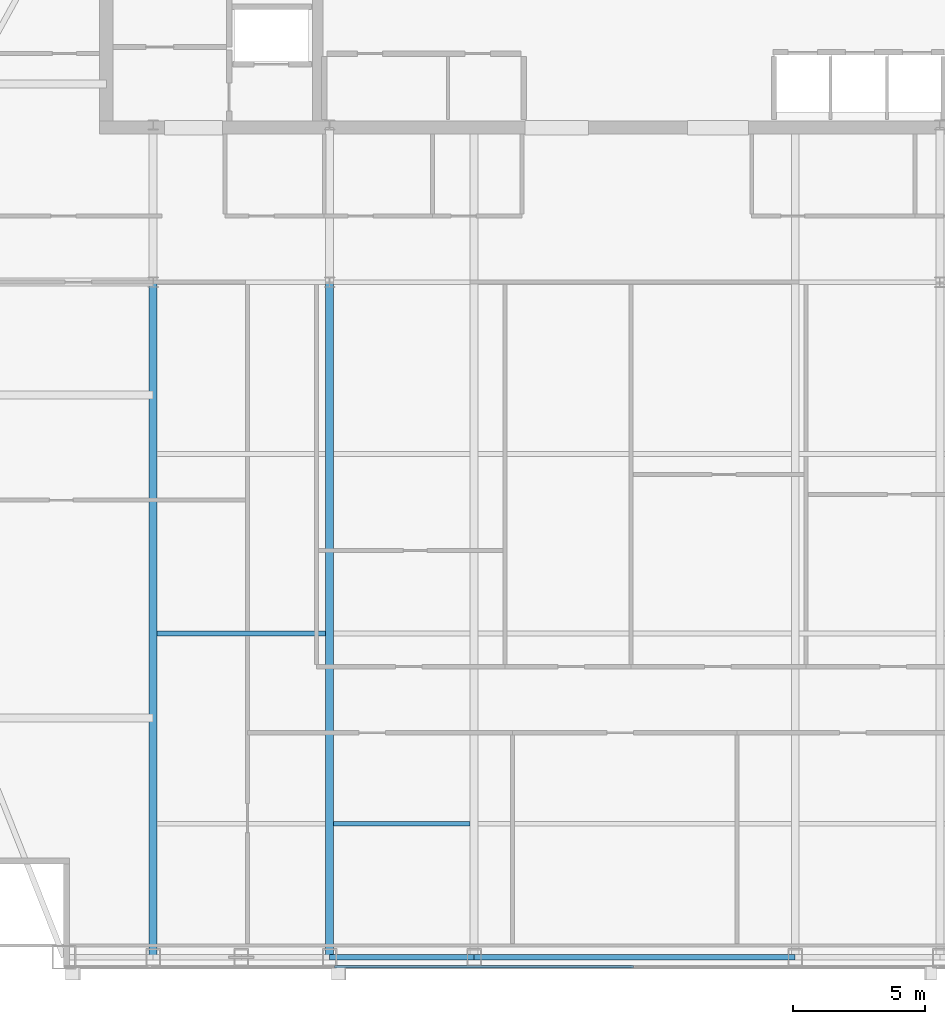
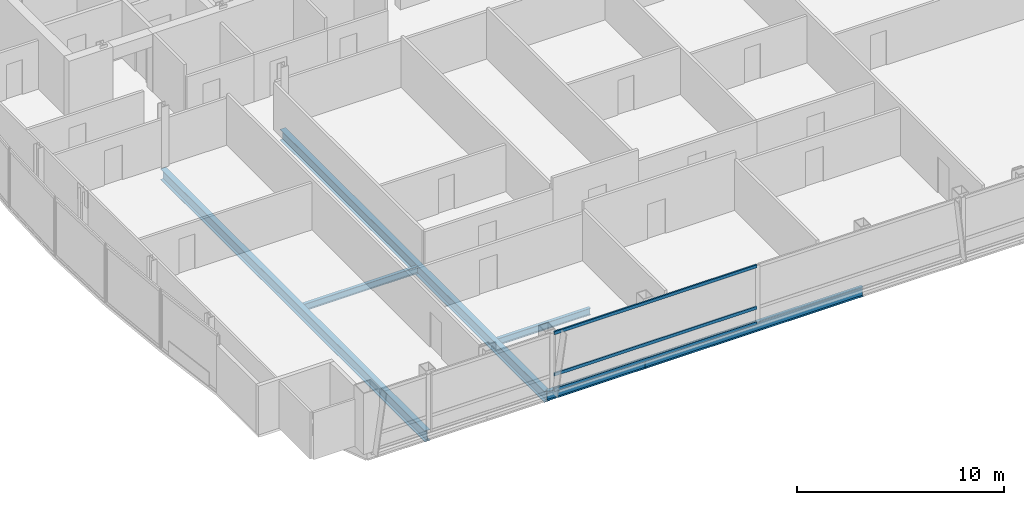
# One storey, part 6 of 25: 6 beams, 3 members, 1 element without a shape of its own.
"""IFC4 building model written with IfcOpenShell, lengths in metres."""

import ifcopenshell
import ifcopenshell.guid

model = None  # the IFC model being written
_history = None  # IfcOwnerHistory: only IFC2X3 demands one
_inside = {}  # id of a spatial element -> (the spatial element, [elements in it])
_under = {}  # id of a project, library or spatial element -> (it, [spatial elements below it])
_declared = {}  # id of a project -> (the project, [libraries it declares])
_typed = {}  # id of a type object -> (the type object, [elements of that type])
_made_of = {}  # id of a material, layer set ... -> (it, [elements and type objects made of it])


def new_model(schema):
    """Start an empty IFC model of exactly this schema.

    Asked for "IFC4X3", IfcOpenShell would pick the latest addendum, in which some entities
    have other attributes; the version numbers below select the first issue.
    IFC2X3 requires an IfcOwnerHistory on every rooted entity: one is made here for all.
    """
    global model, _history
    if schema == "IFC4X3":
        model = ifcopenshell.file(schema_version=(4, 3, 0, 0))
    else:
        model = ifcopenshell.file(schema=schema)
    _inside.clear()
    _under.clear()
    _declared.clear()
    _typed.clear()
    _made_of.clear()
    _history = None
    if model.schema == "IFC2X3":
        org = make("IfcOrganization", Name="unknown")
        user = make(
            "IfcPersonAndOrganization",
            ThePerson=make("IfcPerson", FamilyName="unknown"),
            TheOrganization=org,
        )
        app = make(
            "IfcApplication",
            ApplicationDeveloper=org,
            Version="unknown",
            ApplicationFullName="unknown",
            ApplicationIdentifier="unknown",
        )
        _history = make(
            "IfcOwnerHistory",
            OwningUser=user,
            OwningApplication=app,
            ChangeAction="ADDED",
            CreationDate=0,
        )
    return model


def make(cls, **values):
    """One entity of the class cls with the attributes given. An attribute that is None is left unset."""
    return model.create_entity(
        cls, **{name: value for name, value in values.items() if value is not None}
    )


def rooted(cls, **values):
    """An entity with a GlobalId (a new one), such as an element, a storey or a relation."""
    return make(cls, GlobalId=ifcopenshell.guid.new(), OwnerHistory=_history, **values)


def si_unit(unit_type, name, prefix=None):
    """IfcSIUnit, for example si_unit("LENGTHUNIT", "METRE", prefix="MILLI")."""
    return make("IfcSIUnit", UnitType=unit_type, Prefix=prefix, Name=name)


def assignment(units):
    """IfcUnitAssignment: the units of a project."""
    return None if units is None else make("IfcUnitAssignment", Units=units)


def point(xyz):
    """IfcCartesianPoint."""
    return None if xyz is None else make("IfcCartesianPoint", Coordinates=xyz)


def direction(xyz):
    """IfcDirection."""
    return None if xyz is None else make("IfcDirection", DirectionRatios=xyz)


def frame(location, z_axis=None, x_axis=None):
    """IfcAxis2Placement3D, a coordinate frame: its origin and axes. An axis left out is left unset."""
    return make(
        "IfcAxis2Placement3D",
        Location=point(location),
        Axis=direction(z_axis),
        RefDirection=direction(x_axis),
    )


def frame_2d(location, x_axis=None):
    """IfcAxis2Placement2D, a coordinate frame in the plane: its origin and x axis."""
    return make(
        "IfcAxis2Placement2D", Location=point(location), RefDirection=direction(x_axis)
    )


def origin():
    """The frame at (0, 0, 0) with its axes left unset."""
    return frame((0.0, 0.0, 0.0))


def origin_2d():
    """The frame at (0, 0) in the plane with its x axis left unset."""
    return frame_2d((0.0, 0.0))


def place(relative_to, where):
    """IfcLocalPlacement: puts the frame where relative to a parent placement (None: the world)."""
    return make(
        "IfcLocalPlacement", PlacementRelTo=relative_to, RelativePlacement=where
    )


def context(
    kind, dimensions, precision=None, world=None, true_north=None, identifier=None
):
    """IfcGeometricRepresentationContext, for example the 3D "Model" context."""
    return make(
        "IfcGeometricRepresentationContext",
        ContextIdentifier=identifier,
        ContextType=kind,
        CoordinateSpaceDimension=dimensions,
        Precision=precision,
        WorldCoordinateSystem=world,
        TrueNorth=true_north,
    )


def subcontext(parent, identifier, kind, view, scale=None):
    """IfcGeometricRepresentationSubContext, for example "Body" below "Model"."""
    return make(
        "IfcGeometricRepresentationSubContext",
        ContextIdentifier=identifier,
        ContextType=kind,
        ParentContext=parent,
        TargetScale=scale,
        TargetView=view,
    )


def project(units=None, contexts=None):
    """IfcProject with its units and contexts."""
    return rooted(
        "IfcProject",
        Name="project",
        RepresentationContexts=contexts,
        UnitsInContext=assignment(units),
    )


def spatial(cls, under=None, at=None, **own):
    """A site, building, storey or space (cls), placed at a placement, below another one or the project."""
    s = rooted(cls, ObjectPlacement=at, **own)
    if under is not None:
        _under.setdefault(under.id(), (under, []))[1].append(s)
    return s


def profile(cls, at=None, kind="AREA", **sizes):
    """A parametric profile (cls). Its sizes go by their IFC names, for example OverallWidth=200.0."""
    return make(cls, ProfileType=kind, Position=at, **sizes)


def hollow_rectangle(**sizes):
    """IfcRectangleHollowProfileDef."""
    return profile("IfcRectangleHollowProfileDef", **sizes)


def i_section(**sizes):
    """IfcIShapeProfileDef."""
    return profile("IfcIShapeProfileDef", **sizes)


def extrude(swept, where, along, depth):
    """IfcExtrudedAreaSolid: the profile swept, set in the frame where, extruded along a direction by depth."""
    return make(
        "IfcExtrudedAreaSolid",
        SweptArea=swept,
        Position=where,
        ExtrudedDirection=direction(along),
        Depth=depth,
    )


def shape(context_of_items, identifier, shape_type, items):
    """IfcShapeRepresentation: the items that make up one representation, for example the "Body"."""
    return make(
        "IfcShapeRepresentation",
        ContextOfItems=context_of_items,
        RepresentationIdentifier=identifier,
        RepresentationType=shape_type,
        Items=items,
    )


def material(Name=None, Category=None):
    """IfcMaterial."""
    return make("IfcMaterial", Name=Name, Category=Category)


def material_profile(
    of_material, cross_section, Name=None, Category=None, Priority=None
):
    """IfcMaterialProfile: a cross section and its material."""
    return make(
        "IfcMaterialProfile",
        Name=Name,
        Material=of_material,
        Profile=cross_section,
        Priority=Priority,
        Category=Category,
    )


def profile_set(profiles, Name=None, composite=None):
    """IfcMaterialProfileSet."""
    return make(
        "IfcMaterialProfileSet",
        Name=Name,
        MaterialProfiles=profiles,
        CompositeProfile=composite,
    )


def made_of(thing, what):
    """Note that an element or type object is made of a material, layer set ...; save() writes the relation."""
    if what is not None:
        _made_of.setdefault(what.id(), (what, []))[1].append(thing)
    return thing


def type_object(cls, material=None, **own):
    """A type object (cls), such as IfcWallType, which elements share."""
    return made_of(rooted(cls, **own), material)


def element(
    cls,
    number,
    at=None,
    inside=None,
    cuts=None,
    type_object=None,
    material=None,
    context=None,
    identifier="Body",
    shape_type=None,
    held_by="IfcProductDefinitionShape",
    body=None,
    shapes=None,
    **own,
):
    """One element of the class cls, such as IfcWall. Its Tag is "e" and its number.

    at: its placement. inside: the storey or other place that contains it. cuts: it is an
    opening in that element (IfcRelVoidsElement). A single representation is given by context,
    identifier, shape_type and body (its items); several are given by shapes. held_by: the class
    of the entity that holds the representations. save() writes the other relations.
    """
    e = rooted(cls, Tag="e%d" % number, ObjectPlacement=at, **own)
    if body is not None:
        shapes = [shape(context, identifier, shape_type, body)]
    if shapes is not None:
        e.Representation = make(held_by, Representations=shapes)
    if inside is not None:
        _inside.setdefault(inside.id(), (inside, []))[1].append(e)
    if cuts is not None:
        rooted(
            "IfcRelVoidsElement", RelatingBuildingElement=cuts, RelatedOpeningElement=e
        )
    if type_object is not None:
        _typed.setdefault(type_object.id(), (type_object, []))[1].append(e)
    return made_of(e, material)


def aggregate(whole, parts):
    """IfcRelAggregates: a whole, such as a stair, and the parts it consists of."""
    return rooted("IfcRelAggregates", RelatingObject=whole, RelatedObjects=parts)


def save(model, path):
    """Write the relations noted so far, then the file.

    IfcRelAggregates (storeys below a building ...), IfcRelContainedInSpatialStructure (elements
    in a storey), IfcRelDefinesByType, IfcRelAssociatesMaterial and IfcRelDeclares: one each for
    every whole, place, type object, material and project.
    """
    for whole, parts in _under.values():
        aggregate(whole, parts)
    for where, things in _inside.values():
        rooted(
            "IfcRelContainedInSpatialStructure",
            RelatedElements=things,
            RelatingStructure=where,
        )
    for kind, things in _typed.values():
        rooted("IfcRelDefinesByType", RelatedObjects=things, RelatingType=kind)
    for what, things in _made_of.values():
        rooted("IfcRelAssociatesMaterial", RelatedObjects=things, RelatingMaterial=what)
    for by, libraries in _declared.values():
        rooted("IfcRelDeclares", RelatingContext=by, RelatedDefinitions=libraries)
    model.write(path)


model = new_model("IFC4")

# Units and contexts
model_context = context("Model", 3, precision=1e-05, world=origin(), true_north=direction((0.0, 1.0)))
body_context = subcontext(model_context, "Body", "Model", "MODEL_VIEW")
ifc_project = project(units=[si_unit("LENGTHUNIT", "METRE"), si_unit("AREAUNIT", "SQUARE_METRE"), si_unit("VOLUMEUNIT", "CUBIC_METRE"), si_unit("PLANEANGLEUNIT", "RADIAN"), si_unit("MASSUNIT", "GRAM", prefix="KILO")], contexts=[model_context])

# Site, building, storey
site_placement = place(None, origin())
site = spatial("IfcSite", under=ifc_project, at=site_placement, CompositionType="ELEMENT")
building_placement = place(site_placement, origin())
building = spatial("IfcBuilding", under=site, at=building_placement, Name="Khoronbel Lancet Exchange", CompositionType="ELEMENT")
storey_placement = place(building_placement, frame((0.0, 0.0, 298.60009765625)))
storey = spatial("IfcBuildingStorey", under=building, at=storey_placement, Name="L77", CompositionType="ELEMENT", Elevation=298.60009765625)

# Beams
ifc_material_1 = material(Name="Steel S355", Category="steel")
ifc_material_profile_1 = material_profile(ifc_material_1, i_section(OverallWidth=0.300048828125, OverallDepth=0.64990234375, WebThickness=0.01611328125, FlangeThickness=0.031005859375, at=origin_2d()), Name="HEB 650")
ifc_profile_set_1 = profile_set([ifc_material_profile_1], Name="Steel S355")
beam_type_1 = type_object("IfcBeamType", Name="BM-BG4", PredefinedType="BEAM", material=ifc_profile_set_1)
for number, where, z_axis, x_axis, name in (
    (1, (18.22509765625, 10.14990234375, -0.485107421875), (0.0, 1.0, 0.0), (-1.0, 0.0, 0.0), "Level L77 south primary girder GS1"),
    (2, (24.89990234375, 10.14990234375, -0.485107421875), (0.0, 1.0, 0.0), (-1.0, 0.0, 0.0), "Level L77 south primary girder GS2"),
):
    element("IfcBeam", number, at=place(storey_placement, frame(where, z_axis=z_axis, x_axis=x_axis)), inside=storey, type_object=beam_type_1, Name=name, PredefinedType="BEAM", context=body_context, shape_type="SweptSolid", body=[
        extrude(i_section(OverallWidth=0.300048828125, OverallDepth=0.64990234375, WebThickness=0.01611328125, FlangeThickness=0.031005859375, at=origin_2d()), origin(), (0.0, 0.0, 1.0), 25.550048828125),
    ])
ifc_material_profile_2 = material_profile(ifc_material_1, i_section(OverallWidth=0.179931640625, OverallDepth=0.39990234375, WebThickness=0.008544921875, FlangeThickness=0.013427734375, at=origin_2d()), Name="IPE 400")
ifc_profile_set_2 = profile_set([ifc_material_profile_2], Name="Steel S355")
beam_type_2 = type_object("IfcBeamType", Name="BM-BJ5", PredefinedType="JOIST", material=ifc_profile_set_2)
beam_1_placement = place(storey_placement, frame((25.050048828125, 15.199951171875, -0.360107421875), z_axis=(1.0, 0.0, 0.0), x_axis=(0.0, 1.0, 0.0)))
element("IfcBeam", 3, at=beam_1_placement, inside=storey, type_object=beam_type_2, Name="Level L77 secondary composite joist J02", PredefinedType="JOIST", context=body_context, shape_type="SweptSolid", body=[
    extrude(i_section(OverallWidth=0.179931640625, OverallDepth=0.39990234375, WebThickness=0.008544921875, FlangeThickness=0.013427734375, at=origin_2d()), origin(), (0.0, 0.0, 1.0), 5.175048828125),
])
beam_2_placement = place(storey_placement, frame((18.375, 22.39990234375, -0.360107421875), z_axis=(1.0, 0.0, 0.0), x_axis=(0.0, 1.0, 0.0)))
element("IfcBeam", 4, at=beam_2_placement, inside=storey, type_object=beam_type_2, Name="Level L77 secondary composite joist J06", PredefinedType="JOIST", context=body_context, shape_type="SweptSolid", body=[
    extrude(i_section(OverallWidth=0.179931640625, OverallDepth=0.39990234375, WebThickness=0.008544921875, FlangeThickness=0.013427734375, at=origin_2d()), origin(), (0.0, 0.0, 1.0), 6.375),
])
ifc_material_profile_3 = material_profile(ifc_material_1, i_section(OverallWidth=0.2099609375, OverallDepth=0.550048828125, WebThickness=0.010986328125, FlangeThickness=0.01708984375, at=origin_2d()), Name="IPE 550")
ifc_profile_set_3 = profile_set([ifc_material_profile_3], Name="Steel S355")
beam_type_3 = type_object("IfcBeamType", Name="BM-BSP3", PredefinedType="SPANDREL", material=ifc_profile_set_3)
beam_3_placement = place(storey_placement, frame((24.89990234375, 10.14990234375, -0.43505859375), z_axis=(1.0, 0.0, 0.0), x_axis=(0.0, 1.0, 0.0)))
element("IfcBeam", 5, at=beam_3_placement, inside=storey, type_object=beam_type_3, Name="Level L77 perimeter spandrel beam SP04", PredefinedType="SPANDREL", context=body_context, shape_type="SweptSolid", body=[
    extrude(i_section(OverallWidth=0.2099609375, OverallDepth=0.550048828125, WebThickness=0.010986328125, FlangeThickness=0.01708984375, at=origin_2d()), origin(), (0.0, 0.0, 1.0), 5.47509765625),
])
beam_4_placement = place(storey_placement, frame((30.375, 10.14990234375, -0.43505859375), z_axis=(1.0, 0.0, 0.0), x_axis=(0.0, 1.0, 0.0)))
element("IfcBeam", 6, at=beam_4_placement, inside=storey, type_object=beam_type_3, Name="Level L77 perimeter spandrel beam SP05", PredefinedType="SPANDREL", context=body_context, shape_type="SweptSolid", body=[
    extrude(i_section(OverallWidth=0.2099609375, OverallDepth=0.550048828125, WebThickness=0.010986328125, FlangeThickness=0.01708984375, at=origin_2d()), origin(), (0.0, 0.0, 1.0), 12.14990234375),
])

# Curtain wall, members
ifc_material_2 = material(Name="Low-E Solar Control Insulating Glass", Category="glass")
curtain_wall_type = type_object("IfcCurtainWallType", Name="CW-3", PredefinedType="NOTDEFINED", material=ifc_material_2)
curtain_wall_placement = place(storey_placement, origin())
curtain_wall = element("IfcCurtainWall", 7, at=curtain_wall_placement, inside=storey, type_object=curtain_wall_type, Name="Unitised curtain wall CW-L77-SCV", PredefinedType="NOTDEFINED")
ifc_material_3 = material(Name="Bronze-Anodised Aluminium 6063-T6", Category="aluminium")
ifc_material_profile_4 = material_profile(ifc_material_3, hollow_rectangle(XDim=0.0849609375, YDim=0.179931640625, WallThickness=0.0048828125, at=origin_2d()), Name="ALU TRANSOM 85x180")
ifc_profile_set_4 = profile_set([ifc_material_profile_4], Name="Bronze-Anodised Aluminium 6063-T6")
member_type = type_object("IfcMemberType", Name="MEM-CWT1", PredefinedType="USERDEFINED", material=ifc_profile_set_4)
member_1_placement = place(storey_placement, frame((25.0849609375, 9.7900390625, 0.04248046875), z_axis=(1.0, 0.0, 0.0), x_axis=(0.0, 1.0, 0.0)))
member_1 = element("IfcMember", 8, at=member_1_placement, type_object=member_type, Name="CW3 transom 1.1", ObjectType="TRANSOM", PredefinedType="USERDEFINED", context=body_context, shape_type="SweptSolid", body=[
    extrude(hollow_rectangle(XDim=0.0849609375, YDim=0.179931640625, WallThickness=0.0048828125, at=origin_2d()), origin(), (0.0, 0.0, 1.0), 11.322509765625),
])
member_2_placement = place(storey_placement, frame((25.0849609375, 9.7900390625, 0.949951171875), z_axis=(1.0, 0.0, 0.0), x_axis=(0.0, 1.0, 0.0)))
member_2 = element("IfcMember", 9, at=member_2_placement, type_object=member_type, Name="CW3 transom 1.2", ObjectType="TRANSOM", PredefinedType="USERDEFINED", context=body_context, shape_type="SweptSolid", body=[
    extrude(hollow_rectangle(XDim=0.0849609375, YDim=0.179931640625, WallThickness=0.0048828125, at=origin_2d()), origin(), (0.0, 0.0, 1.0), 11.322509765625),
])
member_3_placement = place(storey_placement, frame((25.0849609375, 9.7900390625, 3.3974609375), z_axis=(1.0, 0.0, 0.0), x_axis=(0.0, 1.0, 0.0)))
member_3 = element("IfcMember", 10, at=member_3_placement, type_object=member_type, Name="CW3 transom 1.3", ObjectType="TRANSOM", PredefinedType="USERDEFINED", context=body_context, shape_type="SweptSolid", body=[
    extrude(hollow_rectangle(XDim=0.0849609375, YDim=0.179931640625, WallThickness=0.0048828125, at=origin_2d()), origin(), (0.0, 0.0, 1.0), 11.322509765625),
])
aggregate(curtain_wall, [member_1, member_2, member_3])

save(model, "model.ifc")
